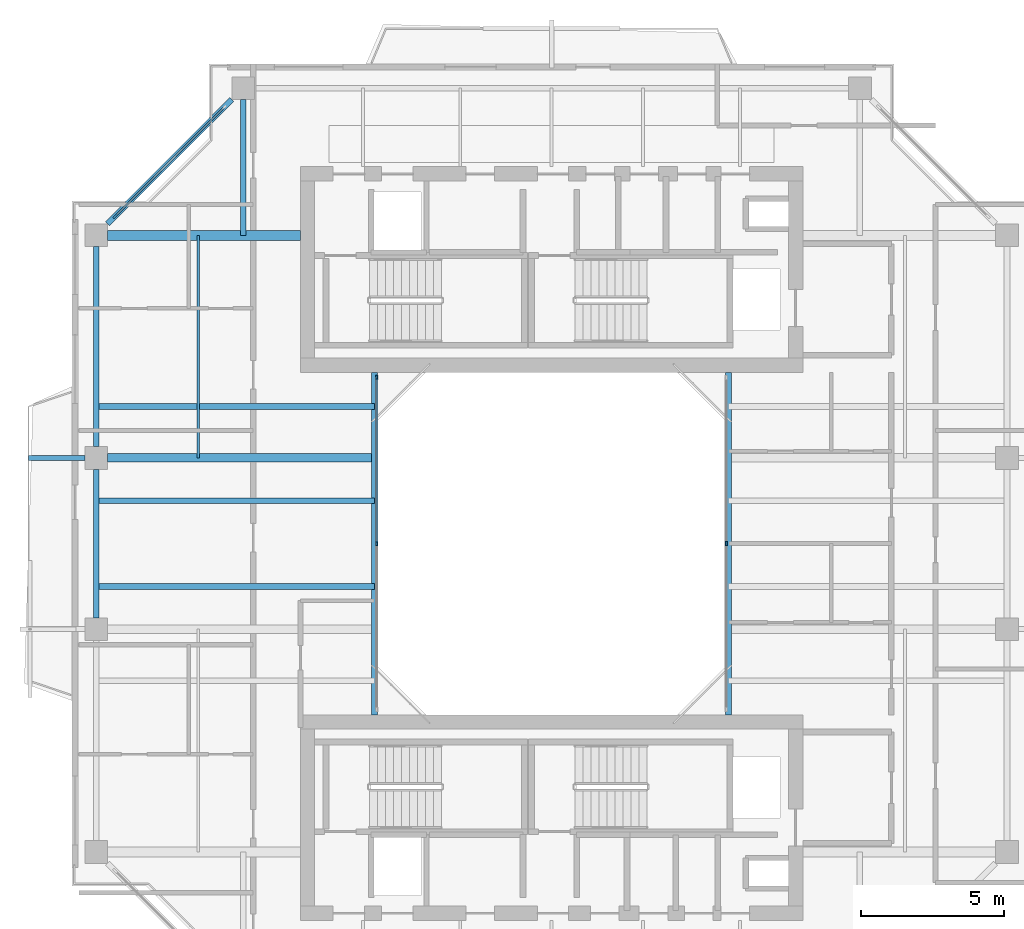
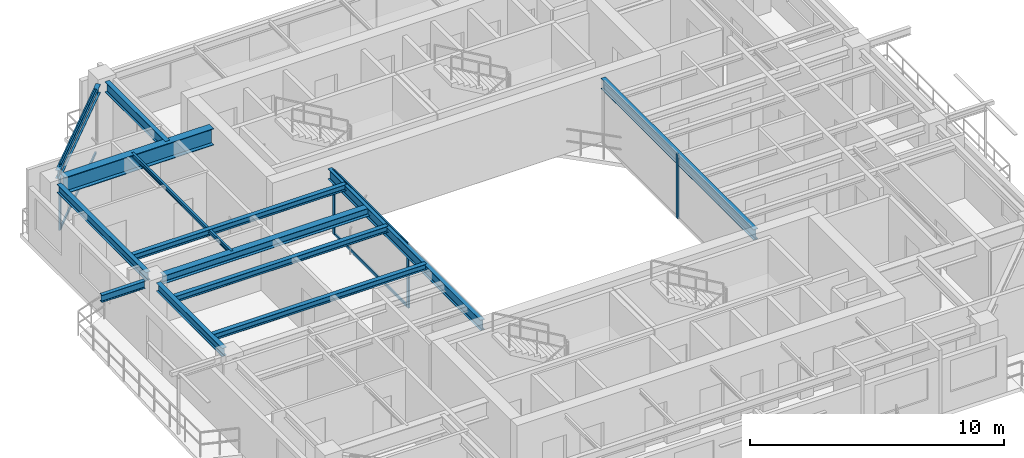
# One storey, part 5 of 16: 13 beams, 8 members, 3 elements without a shape of their own.
"""IFC4 building model written with IfcOpenShell, lengths in metres."""

from ifc_helpers import new_model, si_unit, direction, frame, origin, origin_2d, place, context, subcontext, project, spatial, rectangle, i_section, extrude, source, transform, mapped, material, layer, layer_set, material_profile, profile_set, type_object, element, aggregate, save


model = new_model("IFC4")

# Units and contexts
model_context = context("Model", 3, precision=1e-05, world=origin(), true_north=direction((0.0, 1.0)))
body_context = subcontext(model_context, "Body", "Model", "MODEL_VIEW")
ifc_project = project(units=[si_unit("LENGTHUNIT", "METRE"), si_unit("AREAUNIT", "SQUARE_METRE"), si_unit("VOLUMEUNIT", "CUBIC_METRE"), si_unit("PLANEANGLEUNIT", "RADIAN"), si_unit("MASSUNIT", "GRAM", prefix="KILO"), si_unit("THERMODYNAMICTEMPERATUREUNIT", "KELVIN"), si_unit("POWERUNIT", "WATT")], contexts=[model_context])

# Site, building, storey
site_placement = place(None, origin())
site = spatial("IfcSite", under=ifc_project, at=site_placement, CompositionType="ELEMENT")
building_placement = place(site_placement, origin())
building = spatial("IfcBuilding", under=site, at=building_placement, Name="Qiaomeng Ring Towers", CompositionType="ELEMENT")
storey_placement = place(building_placement, frame((0.0, 0.0, 203.5)))
storey = spatial("IfcBuildingStorey", under=building, at=storey_placement, Name="L59", CompositionType="ELEMENT", Elevation=203.5)

# Beams
ifc_material_1 = material(Name="Steel Q355B", Category="steel")
ifc_material_profile_1 = material_profile(ifc_material_1, i_section(OverallWidth=0.199951171875, OverallDepth=0.5, WebThickness=0.010009765625, FlangeThickness=0.01611328125, FilletRadius=0.02001953125, at=origin_2d()), Name="HN 500x200x10x16")
ifc_profile_set_1 = profile_set([ifc_material_profile_1], Name="Steel Q355B")
beam_type_1 = type_object("IfcBeamType", Name="STR-BM-HN500", PredefinedType="BEAM", material=ifc_profile_set_1)
shared_shape_1 = source(origin(), body_context, "Body", "SweptSolid", [
    extrude(i_section(OverallWidth=0.199951171875, OverallDepth=0.5, WebThickness=0.010009765625, FlangeThickness=0.01611328125, FilletRadius=0.02001953125, at=origin_2d()), origin(), (0.0, 0.0, 1.0), 12.0),
])
for number, where, z_axis, x_axis, name in (
    (1, (12.800048828125, 17.0, 2.820068359375), (0.0, 1.0, 0.0), (-1.0, 0.0, 0.0), "L59 beam STR-BM-L59-WELL-W"),
    (2, (25.199951171875, 17.0, 2.820068359375), (0.0, 1.0, 0.0), (-1.0, 0.0, 0.0), "L59 beam STR-BM-L59-WELL-E"),
):
    element("IfcBeam", number, at=place(storey_placement, frame(where, z_axis=z_axis, x_axis=x_axis)), inside=storey, type_object=beam_type_1, Name=name, PredefinedType="BEAM", context=body_context, shape_type="MappedRepresentation", body=[
        mapped(shared_shape_1, transform((0.0, 0.0, 0.0), x_axis=(1.0, 0.0, 0.0), y_axis=(0.0, 1.0, 0.0), z_axis=(0.0, 0.0, 1.0), scale=1.0)),
    ])
ifc_material_profile_2 = material_profile(ifc_material_1, i_section(OverallWidth=0.198974609375, OverallDepth=0.39599609375, WebThickness=0.007080078125, FlangeThickness=0.010986328125, FilletRadius=0.01611328125, at=origin_2d()), Name="HN 396x199x7x11")
ifc_profile_set_2 = profile_set([ifc_material_profile_2], Name="Steel Q355B")
beam_type_2 = type_object("IfcBeamType", Name="STR-BM-HN396", PredefinedType="SPANDREL", material=ifc_profile_set_2)
shared_shape_2 = source(origin(), body_context, "Body", "SweptSolid", [
    extrude(i_section(OverallWidth=0.198974609375, OverallDepth=0.39599609375, WebThickness=0.007080078125, FlangeThickness=0.010986328125, FilletRadius=0.01611328125, at=origin_2d()), origin(), (0.0, 0.0, 1.0), 6.154052734375),
])
beam_1_placement = place(storey_placement, frame((7.80078125, 38.55078125, 2.8720703125), z_axis=(-0.707106781187, -0.707106781187, 0.0), x_axis=(0.707106781187, -0.707106781187, 0.0)))
element("IfcBeam", 3, at=beam_1_placement, inside=storey, type_object=beam_type_2, Name="L59 beam STR-SP-L59-T1-N1-W4", PredefinedType="SPANDREL", context=body_context, shape_type="MappedRepresentation", body=[
    mapped(shared_shape_2, transform((0.0, 0.0, 0.0), x_axis=(1.0, 0.0, 0.0), y_axis=(0.0, 1.0, 0.0), z_axis=(0.0, 0.0, 1.0), scale=1.0)),
])
shared_shape_3 = source(origin(), body_context, "Body", "SweptSolid", [
    extrude(i_section(OverallWidth=0.198974609375, OverallDepth=0.39599609375, WebThickness=0.007080078125, FlangeThickness=0.010986328125, FilletRadius=0.01611328125, at=origin_2d()), origin(), (0.0, 0.0, 1.0), 7.001953125),
])
beam_2_placement = place(storey_placement, frame((3.050048828125, 33.40087890625, 2.8720703125), z_axis=(0.0, -1.0, 0.0), x_axis=(1.0, 0.0, 0.0)))
element("IfcBeam", 4, at=beam_2_placement, inside=storey, type_object=beam_type_2, Name="L59 beam STR-SP-L59-T1-W4-W3", PredefinedType="SPANDREL", context=body_context, shape_type="MappedRepresentation", body=[
    mapped(shared_shape_3, transform((0.0, 0.0, 0.0), x_axis=(1.0, 0.0, 0.0), y_axis=(0.0, 1.0, 0.0), z_axis=(0.0, 0.0, 1.0), scale=1.0)),
])
shared_shape_4 = source(origin(), body_context, "Body", "SweptSolid", [
    extrude(i_section(OverallWidth=0.198974609375, OverallDepth=0.39599609375, WebThickness=0.007080078125, FlangeThickness=0.010986328125, FilletRadius=0.01611328125, at=origin_2d()), origin(), (0.0, 0.0, 1.0), 5.2021484375),
])
beam_3_placement = place(storey_placement, frame((3.050048828125, 25.60107421875, 2.8720703125), z_axis=(0.0, -1.0, 0.0), x_axis=(1.0, 0.0, 0.0)))
element("IfcBeam", 5, at=beam_3_placement, inside=storey, type_object=beam_type_2, Name="L59 beam STR-SP-L59-T1-W3-W2", PredefinedType="SPANDREL", context=body_context, shape_type="MappedRepresentation", body=[
    mapped(shared_shape_4, transform((0.0, 0.0, 0.0), x_axis=(1.0, 0.0, 0.0), y_axis=(0.0, 1.0, 0.0), z_axis=(0.0, 0.0, 1.0), scale=1.0)),
])
ifc_material_2 = material(Name="Steel Q390GJC", Category="steel")
ifc_material_profile_3 = material_profile(ifc_material_2, i_section(OverallWidth=0.35009765625, OverallDepth=0.800048828125, WebThickness=0.01611328125, FlangeThickness=0.028076171875, at=origin_2d()), Name="WH 800x350x16x28")
ifc_profile_set_3 = profile_set([ifc_material_profile_3], Name="Steel Q390GJC")
beam_type_3 = type_object("IfcBeamType", Name="STR-BM-WH800", PredefinedType="BEAM", material=ifc_profile_set_3)
shared_shape_5 = source(origin(), body_context, "Body", "SweptSolid", [
    extrude(i_section(OverallWidth=0.35009765625, OverallDepth=0.800048828125, WebThickness=0.01611328125, FlangeThickness=0.028076171875, at=origin_2d()), origin(), (0.0, 0.0, 1.0), 6.7509765625),
])
beam_4_placement = place(storey_placement, frame((3.448974609375, 33.800048828125, 2.669921875), z_axis=(1.0, 0.0, 0.0), x_axis=(0.0, 1.0, 0.0)))
element("IfcBeam", 6, at=beam_4_placement, inside=storey, type_object=beam_type_3, Name="L59 beam STR-BM-L59-T1-RAD-W4", PredefinedType="BEAM", context=body_context, shape_type="MappedRepresentation", body=[
    mapped(shared_shape_5, transform((0.0, 0.0, 0.0), x_axis=(1.0, 0.0, 0.0), y_axis=(0.0, 1.0, 0.0), z_axis=(0.0, 0.0, 1.0), scale=1.0)),
])
shared_shape_6 = source(origin(), body_context, "Body", "SweptSolid", [
    extrude(i_section(OverallWidth=0.199951171875, OverallDepth=0.5, WebThickness=0.010009765625, FlangeThickness=0.01611328125, FilletRadius=0.02001953125, at=origin_2d()), origin(), (0.0, 0.0, 1.0), 4.7509765625),
])
beam_5_placement = place(storey_placement, frame((8.199951171875, 38.551025390625, 2.820068359375), z_axis=(0.0, -1.0, 0.0), x_axis=(1.0, 0.0, 0.0)))
element("IfcBeam", 7, at=beam_5_placement, inside=storey, type_object=beam_type_1, Name="L59 beam STR-BM-L59-T1-RAD-N1", PredefinedType="BEAM", context=body_context, shape_type="MappedRepresentation", body=[
    mapped(shared_shape_6, transform((0.0, 0.0, 0.0), x_axis=(1.0, 0.0, 0.0), y_axis=(0.0, 1.0, 0.0), z_axis=(0.0, 0.0, 1.0), scale=1.0)),
])
ifc_material_profile_4 = material_profile(ifc_material_1, i_section(OverallWidth=0.300048828125, OverallDepth=0.389892578125, WebThickness=0.010009765625, FlangeThickness=0.01611328125, FilletRadius=0.02197265625, at=origin_2d()), Name="HM 390x300x10x16")
ifc_profile_set_4 = profile_set([ifc_material_profile_4], Name="Steel Q355B")
beam_type_4 = type_object("IfcBeamType", Name="STR-BM-HM390", PredefinedType="BEAM", material=ifc_profile_set_4)
shared_shape_7 = source(origin(), body_context, "Body", "SweptSolid", [
    extrude(i_section(OverallWidth=0.300048828125, OverallDepth=0.389892578125, WebThickness=0.010009765625, FlangeThickness=0.01611328125, FilletRadius=0.02197265625, at=origin_2d()), origin(), (0.0, 0.0, 1.0), 9.35107421875),
])
beam_6_placement = place(storey_placement, frame((3.448974609375, 26.0, 2.875), z_axis=(1.0, 0.0, 0.0), x_axis=(0.0, 1.0, 0.0)))
element("IfcBeam", 8, at=beam_6_placement, inside=storey, type_object=beam_type_4, Name="L59 beam STR-BM-L59-T1-RAD-W3", PredefinedType="BEAM", context=body_context, shape_type="MappedRepresentation", body=[
    mapped(shared_shape_7, transform((0.0, 0.0, 0.0), x_axis=(1.0, 0.0, 0.0), y_axis=(0.0, 1.0, 0.0), z_axis=(0.0, 0.0, 1.0), scale=1.0)),
])
ifc_material_profile_5 = material_profile(ifc_material_1, i_section(OverallWidth=0.175048828125, OverallDepth=0.35009765625, WebThickness=0.007080078125, FlangeThickness=0.010986328125, FilletRadius=0.013916015625, at=origin_2d()), Name="HN 350x175x7x11")
ifc_profile_set_5 = profile_set([ifc_material_profile_5], Name="Steel Q355B")
beam_type_5 = type_object("IfcBeamType", Name="STR-BM-HN350", PredefinedType="JOIST", material=ifc_profile_set_5)
shared_shape_8 = source(origin(), body_context, "Body", "SweptSolid", [
    extrude(i_section(OverallWidth=0.175048828125, OverallDepth=0.35009765625, WebThickness=0.007080078125, FlangeThickness=0.010986328125, FilletRadius=0.013916015625, at=origin_2d()), origin(), (0.0, 0.0, 1.0), 1.970947265625),
])
beam_7_placement = place(storey_placement, frame((0.679931640625, 26.0, 2.89501953125), z_axis=(1.0, 0.0, 0.0), x_axis=(0.0, 1.0, 0.0)))
element("IfcBeam", 9, at=beam_7_placement, inside=storey, type_object=beam_type_5, Name="L59 beam STR-BALBM-L59-W3", PredefinedType="JOIST", context=body_context, shape_type="MappedRepresentation", body=[
    mapped(shared_shape_8, transform((0.0, 0.0, 0.0), x_axis=(1.0, 0.0, 0.0), y_axis=(0.0, 1.0, 0.0), z_axis=(0.0, 0.0, 1.0), scale=1.0)),
])
ifc_material_profile_6 = material_profile(ifc_material_1, i_section(OverallWidth=0.199951171875, OverallDepth=0.2939453125, WebThickness=0.008056640625, FlangeThickness=0.011962890625, FilletRadius=0.01806640625, at=origin_2d()), Name="HM 294x200x8x12")
ifc_profile_set_6 = profile_set([ifc_material_profile_6], Name="Steel Q355B")
beam_type_6 = type_object("IfcBeamType", Name="STR-BM-HM294", PredefinedType="JOIST", material=ifc_profile_set_6)
shared_shape_9 = source(origin(), body_context, "Body", "SweptSolid", [
    extrude(i_section(OverallWidth=0.199951171875, OverallDepth=0.2939453125, WebThickness=0.008056640625, FlangeThickness=0.011962890625, FilletRadius=0.01806640625, at=origin_2d()), origin(), (0.0, 0.0, 1.0), 9.75),
])
for number, where, z_axis, x_axis, name in (
    (10, (3.050048828125, 21.5, 2.923095703125), (1.0, 0.0, 0.0), (0.0, 1.0, 0.0), "L59 beam STR-JST-L59-T1W-2"),
    (11, (3.050048828125, 24.5, 2.923095703125), (1.0, 0.0, 0.0), (0.0, 1.0, 0.0), "L59 beam STR-JST-L59-T1W-3"),
    (12, (3.050048828125, 27.800048828125, 2.923095703125), (1.0, 0.0, 0.0), (0.0, 1.0, 0.0), "L59 beam STR-JST-L59-T1W-4"),
):
    element("IfcBeam", number, at=place(storey_placement, frame(where, z_axis=z_axis, x_axis=x_axis)), inside=storey, type_object=beam_type_6, Name=name, PredefinedType="JOIST", context=body_context, shape_type="MappedRepresentation", body=[
        mapped(shared_shape_9, transform((0.0, 0.0, 0.0), x_axis=(1.0, 0.0, 0.0), y_axis=(0.0, 1.0, 0.0), z_axis=(0.0, 0.0, 1.0), scale=1.0)),
    ])
ifc_material_profile_7 = material_profile(ifc_material_1, i_section(OverallWidth=0.10009765625, OverallDepth=0.199951171875, WebThickness=0.005615234375, FlangeThickness=0.008056640625, FilletRadius=0.010986328125, at=origin_2d()), Name="HN 200x100x5.5x8")
ifc_profile_set_7 = profile_set([ifc_material_profile_7], Name="Steel Q355B")
beam_type_7 = type_object("IfcBeamType", Name="STR-BM-HN200", PredefinedType="JOIST", material=ifc_profile_set_7)
shared_shape_10 = source(origin(), body_context, "Body", "SweptSolid", [
    extrude(i_section(OverallWidth=0.10009765625, OverallDepth=0.199951171875, WebThickness=0.005615234375, FlangeThickness=0.008056640625, FilletRadius=0.010986328125, at=origin_2d()), origin(), (0.0, 0.0, 1.0), 7.800048828125),
])
beam_8_placement = place(storey_placement, frame((6.625, 26.0, 2.969970703125), z_axis=(0.0, 1.0, 0.0), x_axis=(-1.0, 0.0, 0.0)))
element("IfcBeam", 13, at=beam_8_placement, inside=storey, type_object=beam_type_7, Name="L59 beam STR-JST-L59-T1C-WN", PredefinedType="JOIST", context=body_context, shape_type="MappedRepresentation", body=[
    mapped(shared_shape_10, transform((0.0, 0.0, 0.0), x_axis=(1.0, 0.0, 0.0), y_axis=(0.0, 1.0, 0.0), z_axis=(0.0, 0.0, 1.0), scale=1.0)),
])

# Curtain wall, members
ifc_material_3 = material(Name="Fluorocarbon dark-grey aluminium", Category="aluminium")
ifc_layer_1 = layer(ifc_material_3, 0.139892578125, Name="Fluorocarbon dark-grey aluminium")
ifc_layer_set_1 = layer_set([ifc_layer_1], Name="Fluorocarbon dark-grey aluminium")
curtain_wall_type_1 = type_object("IfcCurtainWallType", Name="ARC-CW-4", PredefinedType="NOTDEFINED", material=ifc_layer_set_1)
curtain_wall_1_placement = place(storey_placement, origin())
curtain_wall_1 = element("IfcCurtainWall", 14, at=curtain_wall_1_placement, inside=storey, type_object=curtain_wall_type_1, Name="L59 Curtain Wall CW4", PredefinedType="NOTDEFINED")
ifc_material_profile_8 = material_profile(ifc_material_3, rectangle(XDim=0.06494140625, YDim=0.159912109375, at=origin_2d()), Name="ALU MULL 65x160")
ifc_profile_set_8 = profile_set([ifc_material_profile_8], Name="Fluorocarbon dark-grey aluminium")
member_type_1 = type_object("IfcMemberType", Name="ARC-CWM-140", PredefinedType="MULLION", material=ifc_profile_set_8)
shared_shape_11 = source(origin(), body_context, "Body", "SweptSolid", [
    extrude(rectangle(XDim=0.06494140625, YDim=0.159912109375, at=origin_2d()), origin(), (0.0, 0.0, 1.0), 3.070068359375),
])
member_1_placement = place(storey_placement, frame((12.8798828125, 23.0, 0.0), z_axis=(0.0, 0.0, 1.0), x_axis=(-1.0, 0.0, 0.0)))
member_1 = element("IfcMember", 15, at=member_1_placement, type_object=member_type_1, Name="CW4 mullion 2", PredefinedType="MULLION", context=body_context, shape_type="MappedRepresentation", body=[
    mapped(shared_shape_11, transform((0.0, 0.0, 0.0), x_axis=(1.0, 0.0, 0.0), y_axis=(0.0, 1.0, 0.0), z_axis=(0.0, 0.0, 1.0), scale=1.0)),
])
member_2_placement = place(storey_placement, frame((12.8798828125, 28.8173828125, 0.0), z_axis=(0.0, 0.0, 1.0), x_axis=(-1.0, 0.0, 0.0)))
member_2 = element("IfcMember", 16, at=member_2_placement, type_object=member_type_1, Name="CW4 mullion 3", PredefinedType="MULLION", context=body_context, shape_type="MappedRepresentation", body=[
    mapped(shared_shape_11, transform((0.0, 0.0, 0.0), x_axis=(1.0, 0.0, 0.0), y_axis=(0.0, 1.0, 0.0), z_axis=(0.0, 0.0, 1.0), scale=1.0)),
])

# Curtain wall, member
curtain_wall_2_placement = place(storey_placement, origin())
curtain_wall_2 = element("IfcCurtainWall", 17, at=curtain_wall_2_placement, inside=storey, type_object=curtain_wall_type_1, Name="L59 Curtain Wall CW4", PredefinedType="NOTDEFINED")
member_3_placement = place(storey_placement, frame((25.1201171875, 23.0, 0.0), z_axis=(0.0, 0.0, 1.0), x_axis=(-1.0, 0.0, 0.0)))
member_3 = element("IfcMember", 18, at=member_3_placement, type_object=member_type_1, Name="CW4 mullion 2", PredefinedType="MULLION", context=body_context, shape_type="MappedRepresentation", body=[
    mapped(shared_shape_11, transform((0.0, 0.0, 0.0), x_axis=(1.0, 0.0, 0.0), y_axis=(0.0, 1.0, 0.0), z_axis=(0.0, 0.0, 1.0), scale=1.0)),
])
aggregate(curtain_wall_2, [member_3])

# Member
ifc_material_profile_9 = material_profile(ifc_material_3, rectangle(XDim=0.06494140625, YDim=0.1298828125, at=origin_2d()), Name="ALU TRAN 65x130")
ifc_profile_set_9 = profile_set([ifc_material_profile_9], Name="Fluorocarbon dark-grey aluminium")
member_type_2 = type_object("IfcMemberType", Name="ARC-CWT-120", PredefinedType="USERDEFINED", material=ifc_profile_set_9)
shared_shape_12 = source(origin(), body_context, "Body", "SweptSolid", [
    extrude(rectangle(XDim=0.06494140625, YDim=0.1298828125, at=origin_2d()), origin(), (0.0, 0.0, 1.0), 5.75244140625),
])
member_4_placement = place(storey_placement, frame((12.8798828125, 23.032470703125, 0.032470703125), z_axis=(0.0, 1.0, 0.0), x_axis=(-1.0, 0.0, 0.0)))
member_4 = element("IfcMember", 19, at=member_4_placement, type_object=member_type_2, Name="CW4 transom 2.1", ObjectType="TRANSOM", PredefinedType="USERDEFINED", context=body_context, shape_type="MappedRepresentation", body=[
    mapped(shared_shape_12, transform((0.0, 0.0, 0.0), x_axis=(1.0, 0.0, 0.0), y_axis=(0.0, 1.0, 0.0), z_axis=(0.0, 0.0, 1.0), scale=1.0)),
])

member_5_placement = place(storey_placement, frame((12.8798828125, 23.032470703125, 3.03759765625), z_axis=(0.0, 1.0, 0.0), x_axis=(-1.0, 0.0, 0.0)))
member_5 = element("IfcMember", 20, at=member_5_placement, type_object=member_type_2, Name="CW4 transom 2.2", ObjectType="TRANSOM", PredefinedType="USERDEFINED", context=body_context, shape_type="MappedRepresentation", body=[
    mapped(shared_shape_12, transform((0.0, 0.0, 0.0), x_axis=(1.0, 0.0, 0.0), y_axis=(0.0, 1.0, 0.0), z_axis=(0.0, 0.0, 1.0), scale=1.0)),
])

aggregate(curtain_wall_1, [member_1, member_2, member_4, member_5])

# Curtain wall, members
ifc_layer_2 = layer(ifc_material_3, 0.14990234375, Name="Fluorocarbon dark-grey aluminium")
ifc_layer_set_2 = layer_set([ifc_layer_2], Name="Fluorocarbon dark-grey aluminium")
curtain_wall_type_2 = type_object("IfcCurtainWallType", Name="ARC-CW-3", PredefinedType="NOTDEFINED", material=ifc_layer_set_2)
curtain_wall_3_placement = place(storey_placement, origin())
curtain_wall_3 = element("IfcCurtainWall", 21, at=curtain_wall_3_placement, inside=storey, type_object=curtain_wall_type_2, Name="L59 Curtain Wall CW3", PredefinedType="NOTDEFINED")
ifc_material_profile_10 = material_profile(ifc_material_3, rectangle(XDim=0.070068359375, YDim=0.179931640625, at=origin_2d()), Name="ALU MULL 70x180")
ifc_profile_set_10 = profile_set([ifc_material_profile_10], Name="Fluorocarbon dark-grey aluminium")
member_type_3 = type_object("IfcMemberType", Name="ARC-CWM-160", PredefinedType="MULLION", material=ifc_profile_set_10)
shared_shape_13 = source(origin(), body_context, "Body", "SweptSolid", [
    extrude(rectangle(XDim=0.070068359375, YDim=0.179931640625, at=origin_2d()), origin(), (0.0, 0.0, 1.0), 3.070068359375),
])
member_6_placement = place(storey_placement, frame((3.71484375, 34.46484375, 0.0), z_axis=(0.0, 0.0, 1.0), x_axis=(0.707106781187, -0.707106781187, 0.0)))
member_6 = element("IfcMember", 22, at=member_6_placement, type_object=member_type_3, Name="CW3 mullion 2", PredefinedType="MULLION", context=body_context, shape_type="MappedRepresentation", body=[
    mapped(shared_shape_13, transform((0.0, 0.0, 0.0), x_axis=(1.0, 0.0, 0.0), y_axis=(0.0, 1.0, 0.0), z_axis=(0.0, 0.0, 1.0), scale=1.0)),
])
shared_shape_14 = source(origin(), body_context, "Body", "SweptSolid", [
    extrude(rectangle(XDim=0.06494140625, YDim=0.1298828125, at=origin_2d()), origin(), (0.0, 0.0, 1.0), 5.3330078125),
])
member_7_placement = place(storey_placement, frame((7.510498046875, 38.260498046875, 0.032470703125), z_axis=(-0.707106781187, -0.707106781187, 0.0), x_axis=(0.707106781187, -0.707106781187, 0.0)))
member_7 = element("IfcMember", 23, at=member_7_placement, type_object=member_type_2, Name="CW3 transom 1.1", ObjectType="TRANSOM", PredefinedType="USERDEFINED", context=body_context, shape_type="MappedRepresentation", body=[
    mapped(shared_shape_14, transform((0.0, 0.0, 0.0), x_axis=(1.0, 0.0, 0.0), y_axis=(0.0, 1.0, 0.0), z_axis=(0.0, 0.0, 1.0), scale=1.0)),
])
member_8_placement = place(storey_placement, frame((7.510498046875, 38.260498046875, 3.03759765625), z_axis=(-0.707106781187, -0.707106781187, 0.0), x_axis=(0.707106781187, -0.707106781187, 0.0)))
member_8 = element("IfcMember", 24, at=member_8_placement, type_object=member_type_2, Name="CW3 transom 1.2", ObjectType="TRANSOM", PredefinedType="USERDEFINED", context=body_context, shape_type="MappedRepresentation", body=[
    mapped(shared_shape_14, transform((0.0, 0.0, 0.0), x_axis=(1.0, 0.0, 0.0), y_axis=(0.0, 1.0, 0.0), z_axis=(0.0, 0.0, 1.0), scale=1.0)),
])
aggregate(curtain_wall_3, [member_6, member_7, member_8])

save(model, "model.ifc")
